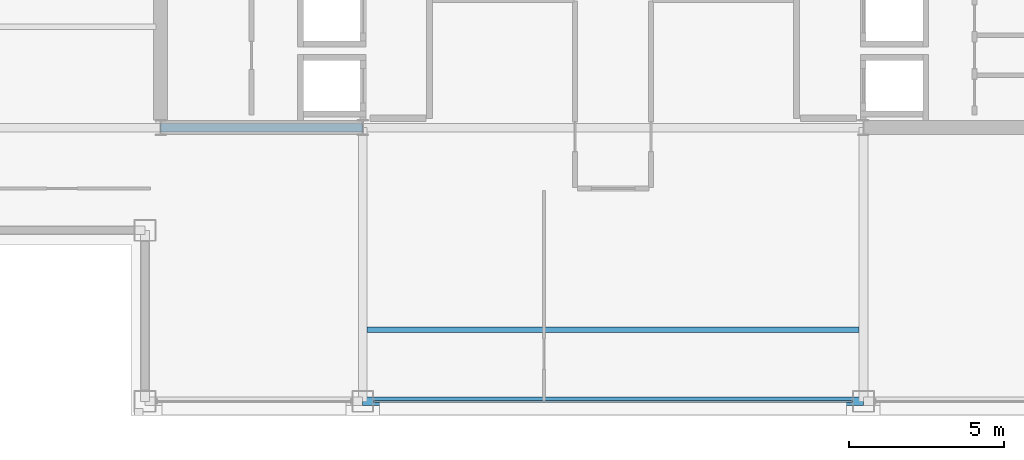
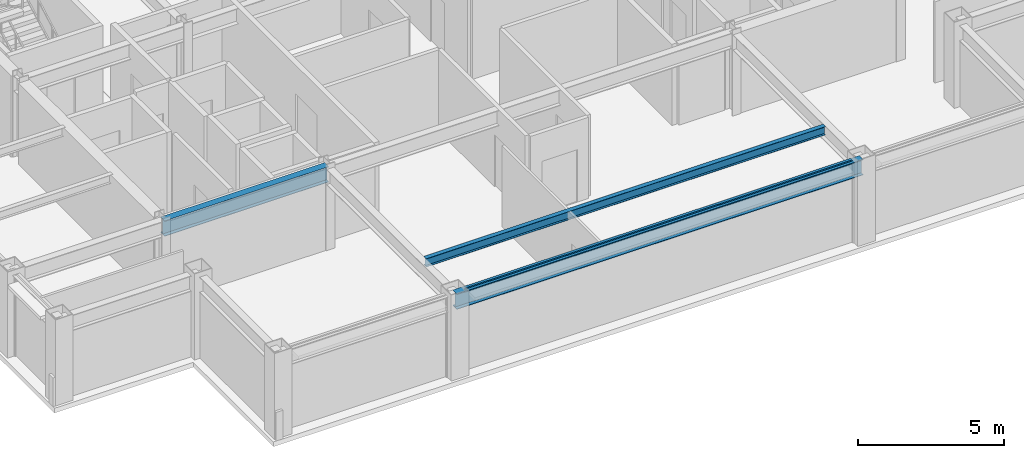
# One storey, part 5 of 29: 3 beams, 1 member, 1 element without a shape of its own.
"""IFC4 building model written with IfcOpenShell, lengths in metres."""

from ifc_helpers import new_model, si_unit, direction, frame, origin, origin_2d, place, context, subcontext, project, spatial, hollow_rectangle, i_section, extrude, material, layer, layer_set, material_profile, profile_set, type_object, element, aggregate, save


model = new_model("IFC4")

# Units and contexts
model_context = context("Model", 3, precision=1e-05, world=origin(), true_north=direction((0.0, 1.0)))
body_context = subcontext(model_context, "Body", "Model", "MODEL_VIEW")
ifc_project = project(units=[si_unit("LENGTHUNIT", "METRE"), si_unit("AREAUNIT", "SQUARE_METRE"), si_unit("VOLUMEUNIT", "CUBIC_METRE"), si_unit("PLANEANGLEUNIT", "RADIAN"), si_unit("MASSUNIT", "GRAM", prefix="KILO")], contexts=[model_context])

# Site, building, storey
site_placement = place(None, origin())
site = spatial("IfcSite", under=ifc_project, at=site_placement, CompositionType="ELEMENT")
building_placement = place(site_placement, origin())
building = spatial("IfcBuilding", under=site, at=building_placement, Name="Brelmoor Portico Tower", CompositionType="ELEMENT")
storey_placement = place(building_placement, frame((0.0, 0.0, 201.89990234375)))
storey = spatial("IfcBuildingStorey", under=building, at=storey_placement, Name="L53", CompositionType="ELEMENT", Elevation=201.89990234375)

# Beams
ifc_material_1 = material(Name="Steel Q355B", Category="steel")
ifc_material_profile_1 = material_profile(ifc_material_1, i_section(OverallWidth=0.175048828125, OverallDepth=0.35009765625, WebThickness=0.007080078125, FlangeThickness=0.010986328125, at=origin_2d()), Name="HN 350x175x7x11")
ifc_profile_set_1 = profile_set([ifc_material_profile_1], Name="Steel Q355B")
beam_type_1 = type_object("IfcBeamType", Name="BM-JS-350", PredefinedType="JOIST", material=ifc_profile_set_1)
beam_1_placement = place(storey_placement, frame((-7.909912109375, -16.25, 3.22509765625), z_axis=(1.0, 0.0, 0.0), x_axis=(0.0, 1.0, 0.0)))
element("IfcBeam", 1, at=beam_1_placement, inside=storey, type_object=beam_type_1, Name="L53 Secondary Composite Joist JS-C01", PredefinedType="JOIST", context=body_context, shape_type="SweptSolid", body=[
    extrude(i_section(OverallWidth=0.175048828125, OverallDepth=0.35009765625, WebThickness=0.007080078125, FlangeThickness=0.010986328125, at=origin_2d()), origin(), (0.0, 0.0, 1.0), 15.81982421875),
])
ifc_material_profile_2 = material_profile(ifc_material_1, i_section(OverallWidth=0.280029296875, OverallDepth=0.64990234375, WebThickness=0.012939453125, FlangeThickness=0.02197265625, at=origin_2d()), Name="HN 650x280x13x22")
ifc_profile_set_2 = profile_set([ifc_material_profile_2], Name="Steel Q355B")
beam_type_2 = type_object("IfcBeamType", Name="BM-PG-650", PredefinedType="BEAM", material=ifc_profile_set_2)
beam_2_placement = place(storey_placement, frame((-14.550048828125, -9.75, 3.0751953125), z_axis=(1.0, 0.0, 0.0), x_axis=(0.0, 1.0, 0.0)))
element("IfcBeam", 2, at=beam_2_placement, inside=storey, type_object=beam_type_2, Name="L53 Primary Floor Girder PG-12", PredefinedType="BEAM", context=body_context, shape_type="SweptSolid", body=[
    extrude(i_section(OverallWidth=0.280029296875, OverallDepth=0.64990234375, WebThickness=0.012939453125, FlangeThickness=0.02197265625, at=origin_2d()), origin(), (0.0, 0.0, 1.0), 6.5),
])
ifc_material_profile_3 = material_profile(ifc_material_1, i_section(OverallWidth=0.280029296875, OverallDepth=0.64990234375, WebThickness=0.012939453125, FlangeThickness=0.02197265625, at=origin_2d()), Name="HN 650x280x13x22")
ifc_profile_set_3 = profile_set([ifc_material_profile_3], Name="Steel Q355B")
beam_type_3 = type_object("IfcBeamType", Name="BM-SP-650", PredefinedType="SPANDREL", material=ifc_profile_set_3)
beam_3_placement = place(storey_placement, frame((-8.050048828125, -18.550048828125, 3.0751953125), z_axis=(1.0, 0.0, 0.0), x_axis=(0.0, 1.0, 0.0)))
element("IfcBeam", 3, at=beam_3_placement, inside=storey, type_object=beam_type_3, Name="L53 Perimeter Spandrel Beam SP-02", PredefinedType="SPANDREL", context=body_context, shape_type="SweptSolid", body=[
    extrude(i_section(OverallWidth=0.280029296875, OverallDepth=0.64990234375, WebThickness=0.012939453125, FlangeThickness=0.02197265625, at=origin_2d()), origin(), (0.0, 0.0, 1.0), 16.10009765625),
])

# Curtain wall, member
ifc_material_2 = material(Name="Anodised Aluminium Alloy 6063-T6", Category="aluminium")
ifc_layer = layer(ifc_material_2, 0.179931640625)
ifc_layer_set = layer_set([ifc_layer], Name="Anodised Aluminium Alloy 6063-T6")
curtain_wall_type = type_object("IfcCurtainWallType", Name="CW-TOWER-Z3-XB", PredefinedType="NOTDEFINED", material=ifc_layer_set)
curtain_wall_placement = place(storey_placement, origin())
curtain_wall = element("IfcCurtainWall", 4, at=curtain_wall_placement, inside=storey, type_object=curtain_wall_type, Name="L53 Curtain Wall CW-L53-01-2", PredefinedType="NOTDEFINED")
ifc_material_profile_4 = material_profile(ifc_material_2, hollow_rectangle(XDim=0.06005859375, YDim=0.125, WallThickness=0.00341796875, at=origin_2d()), Name="ALU TRANSOM 60x125")
ifc_profile_set_4 = profile_set([ifc_material_profile_4], Name="Anodised Aluminium Alloy 6063-T6")
member_type = type_object("IfcMemberType", Name="MB-CW-TRAN-125", PredefinedType="USERDEFINED", material=ifc_profile_set_4)
member_placement = place(storey_placement, frame((-7.68994140625, -18.550048828125, 3.337646484375), z_axis=(1.0, 0.0, 0.0), x_axis=(0.0, 1.0, 0.0)))
member = element("IfcMember", 5, at=member_placement, type_object=member_type, Name="CW-L53-01-2 Transom 1-00", ObjectType="TRANSOM", PredefinedType="USERDEFINED", context=body_context, shape_type="SweptSolid", body=[
    extrude(hollow_rectangle(XDim=0.06005859375, YDim=0.125, WallThickness=0.00341796875, at=origin_2d()), origin(), (0.0, 0.0, 1.0), 15.3798828125),
])
aggregate(curtain_wall, [member])

save(model, "model.ifc")
